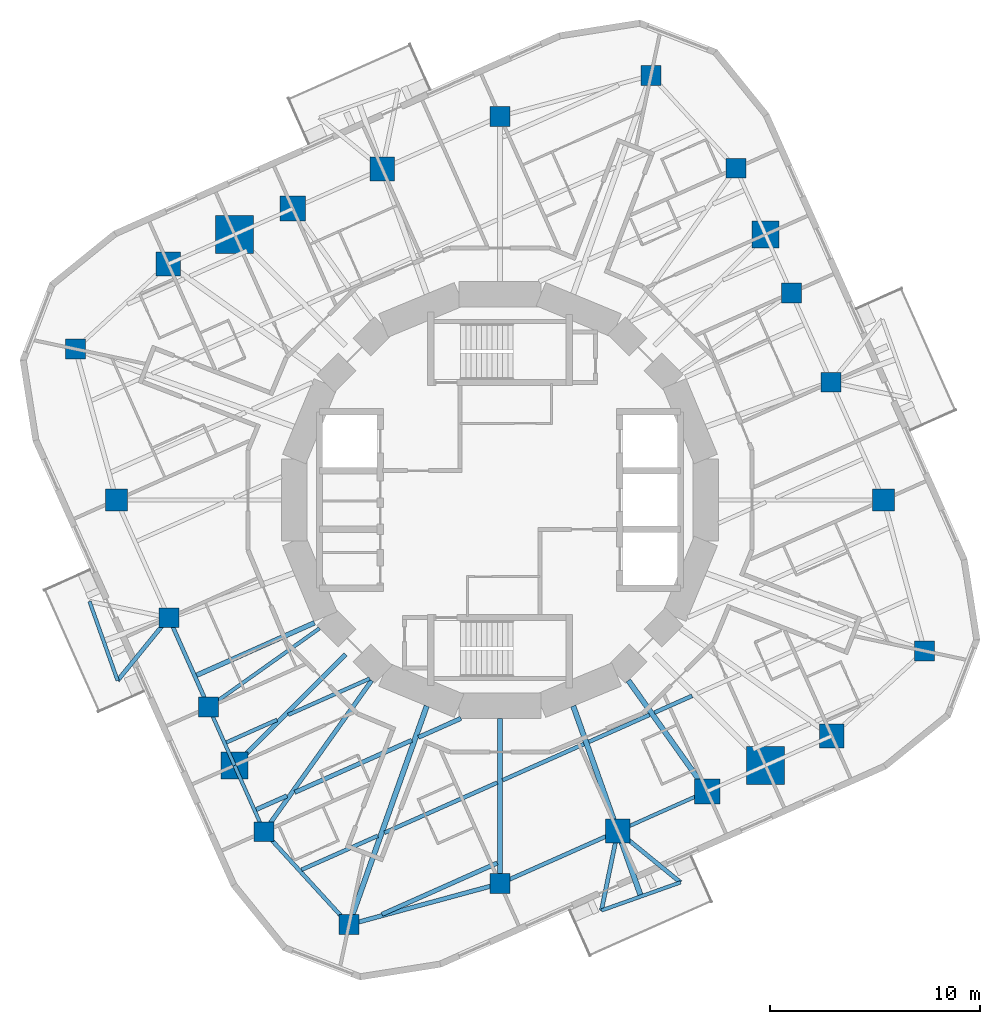
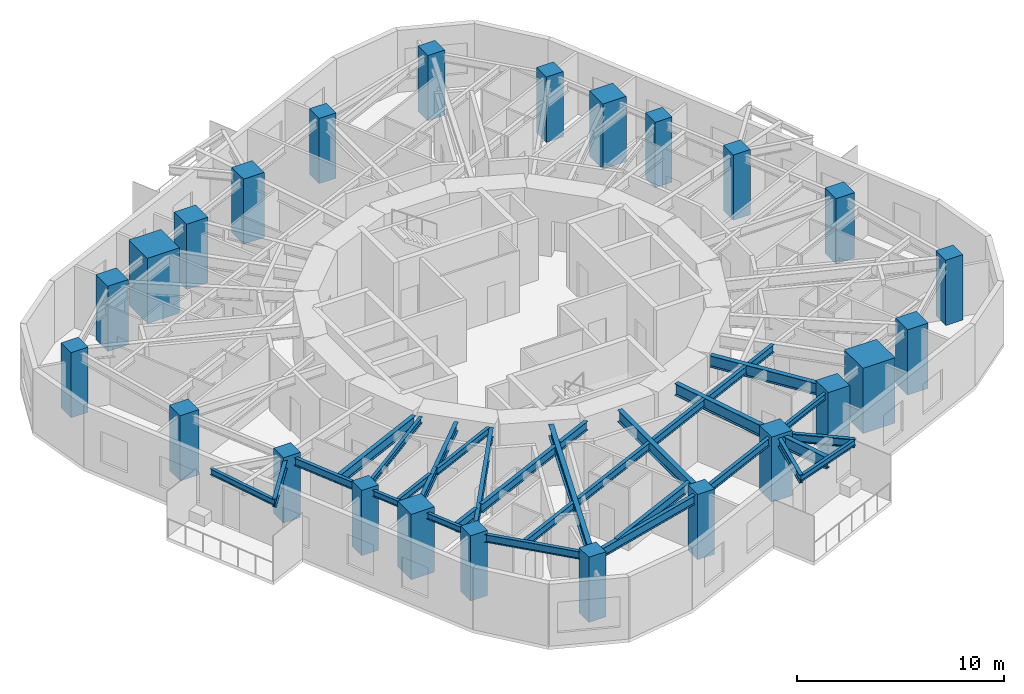
# One storey, part 1 of 12: 31 beams, 24 columns.
"""IFC4 building model written with IfcOpenShell, lengths in metres."""

from ifc_helpers import new_model, si_unit, direction, frame, origin, origin_2d, place, context, subcontext, project, spatial, rectangle, i_section, extrude, material, material_profile, profile_set, type_object, element, save


model = new_model("IFC4")

# Units and contexts
model_context = context("Model", 3, precision=1e-05, world=origin(), true_north=direction((0.0, 1.0)))
body_context = subcontext(model_context, "Body", "Model", "MODEL_VIEW")
ifc_project = project(units=[si_unit("LENGTHUNIT", "METRE"), si_unit("AREAUNIT", "SQUARE_METRE"), si_unit("VOLUMEUNIT", "CUBIC_METRE"), si_unit("PLANEANGLEUNIT", "RADIAN"), si_unit("MASSUNIT", "GRAM", prefix="KILO")], contexts=[model_context])

# Site, building, storey
site_placement = place(None, origin())
site = spatial("IfcSite", under=ifc_project, at=site_placement, CompositionType="ELEMENT")
building_placement = place(site_placement, origin())
building = spatial("IfcBuilding", under=site, at=building_placement, Name="Nakasero Lantern House", CompositionType="ELEMENT")
storey_placement = place(building_placement, frame((0.0, 0.0, 194.0)))
storey = spatial("IfcBuildingStorey", under=building, at=storey_placement, Name="L47", CompositionType="ELEMENT", Elevation=194.0)

# Columns
ifc_material_1 = material(Name="Concrete C45/55", Category="concrete")
ifc_material_profile_1 = material_profile(ifc_material_1, rectangle(XDim=1.300048828125, YDim=1.300048828125, at=origin_2d()), Name="RC 1300x1300")
ifc_profile_set_1 = profile_set([ifc_material_profile_1], Name="Concrete C45/55")
column_type_1 = type_object("IfcColumnType", Name="Mega column RC 1300x1300 C45/55", PredefinedType="COLUMN", material=ifc_profile_set_1)
for number, where, z_axis, x_axis, name in (
    (1, (12.64892578125, 12.64892578125, 0.0), (0.0, 0.0, 1.0), (1.0, 0.0, 0.0), "Column B5-C06 L47"),
    (2, (-12.64892578125, -12.64892578125, 0.0), (0.0, 0.0, 1.0), (1.0, 0.0, 0.0), "Column B5-C18 L47"),
):
    element("IfcColumn", number, at=place(storey_placement, frame(where, z_axis=z_axis, x_axis=x_axis)), inside=storey, type_object=column_type_1, Name=name, PredefinedType="COLUMN", context=body_context, shape_type="SweptSolid", body=[
        extrude(rectangle(XDim=1.300048828125, YDim=1.300048828125, at=origin_2d()), origin(), (0.0, 0.0, 1.0), 3.85009765625),
    ])
ifc_material_2 = material(Name="Concrete C45/55", Category="concrete")
ifc_material_profile_2 = material_profile(ifc_material_2, rectangle(XDim=1.800048828125, YDim=1.800048828125, at=origin_2d()), Name="RC 1800x1800")
ifc_profile_set_2 = profile_set([ifc_material_profile_2], Name="Concrete C45/55")
column_type_2 = type_object("IfcColumnType", Name="Mega column RC 1800x1800 C45/55", PredefinedType="COLUMN", material=ifc_profile_set_2)
for number, where, z_axis, x_axis, name in (
    (3, (-12.64892578125, 12.64892578125, 0.0), (0.0, 0.0, 1.0), (1.0, 0.0, 0.0), "Column B5-C12 L47"),
    (4, (12.64892578125, -12.64892578125, 0.0), (0.0, 0.0, 1.0), (1.0, 0.0, 0.0), "Column B5-C24 L47"),
):
    element("IfcColumn", number, at=place(storey_placement, frame(where, z_axis=z_axis, x_axis=x_axis)), inside=storey, type_object=column_type_2, Name=name, PredefinedType="COLUMN", context=body_context, shape_type="SweptSolid", body=[
        extrude(rectangle(XDim=1.800048828125, YDim=1.800048828125, at=origin_2d()), origin(), (0.0, 0.0, 1.0), 3.85009765625),
    ])
ifc_material_3 = material(Name="Concrete C45/55", Category="concrete")
ifc_material_profile_3 = material_profile(ifc_material_3, rectangle(XDim=1.050048828125, YDim=1.050048828125, at=origin_2d()), Name="RC 1050x1050")
ifc_profile_set_3 = profile_set([ifc_material_profile_3], Name="Concrete C45/55")
column_type_3 = type_object("IfcColumnType", Name="Ring column RC 1050x1050 C45/55", PredefinedType="COLUMN", material=ifc_profile_set_3)
for number, where, z_axis, x_axis, name in (
    (5, (18.280517578125, 0.0, 0.0), (0.0, 0.0, 1.0), (1.0, 0.0, 0.0), "Column B5-C03 L47"),
    (6, (-18.280517578125, 0.0, 0.0), (0.0, 0.0, 1.0), (1.0, 0.0, 0.0), "Column B5-C15 L47"),
):
    element("IfcColumn", number, at=place(storey_placement, frame(where, z_axis=z_axis, x_axis=x_axis)), inside=storey, type_object=column_type_3, Name=name, PredefinedType="COLUMN", context=body_context, shape_type="SweptSolid", body=[
        extrude(rectangle(XDim=1.050048828125, YDim=1.050048828125, at=origin_2d()), origin(), (0.0, 0.0, 1.0), 3.85009765625),
    ])
ifc_material_4 = material(Name="Concrete C45/55", Category="concrete")
ifc_material_profile_4 = material_profile(ifc_material_4, rectangle(XDim=1.14990234375, YDim=1.14990234375, at=origin_2d()), Name="RC 1150x1150")
ifc_profile_set_4 = profile_set([ifc_material_profile_4], Name="Concrete C45/55")
column_type_4 = type_object("IfcColumnType", Name="Ring column RC 1150x1150 C45/55", PredefinedType="COLUMN", material=ifc_profile_set_4)
for number, where, z_axis, x_axis, name in (
    (7, (15.808837890625, -11.241943359375, 0.0), (0.0, 0.0, 1.0), (1.0, 0.0, 0.0), "Column B5-C01 L47"),
    (8, (-5.611328125, 15.781982421875, 0.0), (0.0, 0.0, 1.0), (1.0, 0.0, 0.0), "Column B5-C10 L47"),
    (9, (-15.808837890625, 11.241943359375, 0.0), (0.0, 0.0, 1.0), (1.0, 0.0, 0.0), "Column B5-C13 L47"),
    (10, (5.611328125, -15.781982421875, 0.0), (0.0, 0.0, 1.0), (1.0, 0.0, 0.0), "Column B5-C22 L47"),
):
    element("IfcColumn", number, at=place(storey_placement, frame(where, z_axis=z_axis, x_axis=x_axis)), inside=storey, type_object=column_type_4, Name=name, PredefinedType="COLUMN", context=body_context, shape_type="SweptSolid", body=[
        extrude(rectangle(XDim=1.14990234375, YDim=1.14990234375, at=origin_2d()), origin(), (0.0, 0.0, 1.0), 3.85009765625),
    ])
ifc_material_5 = material(Name="Concrete C45/55", Category="concrete")
ifc_material_profile_5 = material_profile(ifc_material_5, rectangle(XDim=1.199951171875, YDim=1.199951171875, at=origin_2d()), Name="RC 1200x1200")
ifc_profile_set_5 = profile_set([ifc_material_profile_5], Name="Concrete C45/55")
column_type_5 = type_object("IfcColumnType", Name="Ring column RC 1200x1200 C45/55", PredefinedType="COLUMN", material=ifc_profile_set_5)
for number, where, z_axis, x_axis, name in (
    (11, (-9.87353515625, 13.884521484375, 0.0), (0.0, 0.0, 1.0), (1.0, 0.0, 0.0), "Column B5-C11 L47"),
    (12, (9.87353515625, -13.884521484375, 0.0), (0.0, 0.0, 1.0), (1.0, 0.0, 0.0), "Column B5-C23 L47"),
):
    element("IfcColumn", number, at=place(storey_placement, frame(where, z_axis=z_axis, x_axis=x_axis)), inside=storey, type_object=column_type_5, Name=name, PredefinedType="COLUMN", context=body_context, shape_type="SweptSolid", body=[
        extrude(rectangle(XDim=1.199951171875, YDim=1.199951171875, at=origin_2d()), origin(), (0.0, 0.0, 1.0), 3.85009765625),
    ])
ifc_material_6 = material(Name="Concrete C45/55", Category="concrete")
ifc_material_profile_6 = material_profile(ifc_material_6, rectangle(XDim=0.949951171875, YDim=0.949951171875, at=origin_2d()), Name="RC 950x950")
ifc_profile_set_6 = profile_set([ifc_material_profile_6], Name="Concrete C45/55")
column_type_6 = type_object("IfcColumnType", Name="Ring column RC 950x950 C45/55", PredefinedType="COLUMN", material=ifc_profile_set_6)
for number, where, z_axis, x_axis, name in (
    (13, (20.2353515625, -7.19482421875, 0.0), (0.0, 0.0, 1.0), (1.0, 0.0, 0.0), "Column B5-C02 L47"),
    (14, (15.781982421875, 5.611328125, 0.0), (0.0, 0.0, 1.0), (1.0, 0.0, 0.0), "Column B5-C04 L47"),
    (15, (13.884521484375, 9.87353515625, 0.0), (0.0, 0.0, 1.0), (1.0, 0.0, 0.0), "Column B5-C05 L47"),
    (16, (11.241943359375, 15.808837890625, 0.0), (0.0, 0.0, 1.0), (1.0, 0.0, 0.0), "Column B5-C07 L47"),
    (17, (7.19482421875, 20.2353515625, 0.0), (0.0, 0.0, 1.0), (1.0, 0.0, 0.0), "Column B5-C08 L47"),
    (18, (0.0, 18.280517578125, 0.0), (0.0, 0.0, 1.0), (1.0, 0.0, 0.0), "Column B5-C09 L47"),
    (19, (-20.2353515625, 7.19482421875, 0.0), (0.0, 0.0, 1.0), (1.0, 0.0, 0.0), "Column B5-C14 L47"),
    (20, (-15.781982421875, -5.611328125, 0.0), (0.0, 0.0, 1.0), (1.0, 0.0, 0.0), "Column B5-C16 L47"),
    (21, (-13.884521484375, -9.87353515625, 0.0), (0.0, 0.0, 1.0), (1.0, 0.0, 0.0), "Column B5-C17 L47"),
    (22, (-11.241943359375, -15.808837890625, 0.0), (0.0, 0.0, 1.0), (1.0, 0.0, 0.0), "Column B5-C19 L47"),
    (23, (-7.19482421875, -20.2353515625, 0.0), (0.0, 0.0, 1.0), (1.0, 0.0, 0.0), "Column B5-C20 L47"),
    (24, (0.0, -18.280517578125, 0.0), (0.0, 0.0, 1.0), (1.0, 0.0, 0.0), "Column B5-C21 L47"),
):
    element("IfcColumn", number, at=place(storey_placement, frame(where, z_axis=z_axis, x_axis=x_axis)), inside=storey, type_object=column_type_6, Name=name, PredefinedType="COLUMN", context=body_context, shape_type="SweptSolid", body=[
        extrude(rectangle(XDim=0.949951171875, YDim=0.949951171875, at=origin_2d()), origin(), (0.0, 0.0, 1.0), 3.85009765625),
    ])

# Beams
ifc_material_7 = material(Name="Steel S355", Category="steel")
ifc_material_profile_7 = material_profile(ifc_material_7, i_section(OverallWidth=0.199462890625, OverallDepth=0.491943359375, WebThickness=0.01806640625, FlangeThickness=0.031982421875, FilletRadius=0.01025390625, at=origin_2d()), Name="UB 457x191x161")
ifc_profile_set_7 = profile_set([ifc_material_profile_7], Name="Steel S355")
beam_type_1 = type_object("IfcBeamType", Name="Balcony splay beam UB 457x191x161", PredefinedType="BEAM", material=ifc_profile_set_7)
for number, where, z_axis, x_axis, name in (
    (25, (-15.781982421875, -5.611328125, 3.404052734375), (-0.632165712937, -0.774833215206, 0.0), (0.774833215206, -0.632165712937, 0.0), "Balcony splay beam L48 B5-C16A"),
    (26, (5.611328125, -15.781982421875, 3.404052734375), (0.774833215206, -0.632165712937, 0.0), (0.632165712937, 0.774833215206, 0.0), "Balcony splay beam L48 B5-C22A"),
):
    element("IfcBeam", number, at=place(storey_placement, frame(where, z_axis=z_axis, x_axis=x_axis)), inside=storey, type_object=beam_type_1, Name=name, PredefinedType="BEAM", context=body_context, shape_type="SweptSolid", body=[
        extrude(i_section(OverallWidth=0.199462890625, OverallDepth=0.491943359375, WebThickness=0.01806640625, FlangeThickness=0.031982421875, FilletRadius=0.01025390625, at=origin_2d()), origin(), (0.0, 0.0, 1.0), 3.85888671875),
    ])
beam_1_placement = place(storey_placement, frame((5.611328125, -15.781982421875, 3.404052734375), z_axis=(-0.201831438605, -0.979420272605, 0.0), x_axis=(0.979420272605, -0.201831438605, 0.0)))
element("IfcBeam", 27, at=beam_1_placement, inside=storey, type_object=beam_type_1, Name="Balcony splay beam L48 B5-C22B", PredefinedType="BEAM", context=body_context, shape_type="SweptSolid", body=[
    extrude(i_section(OverallWidth=0.199462890625, OverallDepth=0.491943359375, WebThickness=0.01806640625, FlangeThickness=0.031982421875, FilletRadius=0.01025390625, at=origin_2d()), origin(), (0.0, 0.0, 1.0), 3.858642578125),
])
ifc_material_8 = material(Name="Steel S355", Category="steel")
ifc_material_profile_8 = material_profile(ifc_material_8, i_section(OverallWidth=0.17138671875, OverallDepth=0.35498046875, WebThickness=0.00732421875, FlangeThickness=0.011474609375, FilletRadius=0.01025390625, at=origin_2d()), Name="UB 356x171x51")
ifc_profile_set_8 = profile_set([ifc_material_profile_8], Name="Steel S355")
beam_type_2 = type_object("IfcBeamType", Name="Balcony tie beam UB 356x171x51", PredefinedType="BEAM", material=ifc_profile_set_8)
for number, where, z_axis, x_axis, name in (
    (28, (-18.221435546875, -8.601318359375, 3.472412109375), (-0.334971134582, 0.94222839004, 0.0), (-0.94222839004, -0.334971134582, 0.0), "Balcony tie beam L48 B5-C16"),
    (29, (8.601318359375, -18.221435546875, 3.472412109375), (-0.94222839004, -0.334971134582, 0.0), (0.334971134582, -0.94222839004, 0.0), "Balcony tie beam L48 B5-C22"),
):
    element("IfcBeam", number, at=place(storey_placement, frame(where, z_axis=z_axis, x_axis=x_axis)), inside=storey, type_object=beam_type_2, Name=name, PredefinedType="BEAM", context=body_context, shape_type="SweptSolid", body=[
        extrude(i_section(OverallWidth=0.17138671875, OverallDepth=0.35498046875, WebThickness=0.00732421875, FlangeThickness=0.011474609375, FilletRadius=0.01025390625, at=origin_2d()), origin(), (0.0, 0.0, 1.0), 4.0),
    ])
ifc_material_9 = material(Name="Steel S355", Category="steel")
ifc_material_profile_9 = material_profile(ifc_material_9, i_section(OverallWidth=0.177978515625, OverallDepth=0.406494140625, WebThickness=0.0078125, FlangeThickness=0.0126953125, FilletRadius=0.01025390625, at=origin_2d()), Name="UB 406x178x60")
ifc_profile_set_9 = profile_set([ifc_material_profile_9], Name="Steel S355")
beam_type_3 = type_object("IfcBeamType", Name="Infill beam UB 406x178x60", PredefinedType="JOIST", material=ifc_profile_set_9)
beam_2_placement = place(storey_placement, frame((-13.04248046875, -11.5537109375, 3.44677734375), z_axis=(0.913529602849, 0.406772251658, 0.0), x_axis=(-0.406772251658, 0.913529602849, 0.0)))
element("IfcBeam", 30, at=beam_2_placement, inside=storey, type_object=beam_type_3, Name="Infill beam L48 06.1", PredefinedType="JOIST", context=body_context, shape_type="SweptSolid", body=[
    extrude(i_section(OverallWidth=0.177978515625, OverallDepth=0.406494140625, WebThickness=0.0078125, FlangeThickness=0.0126953125, FilletRadius=0.01025390625, at=origin_2d()), origin(), (0.0, 0.0, 1.0), 2.64453125),
])
beam_3_placement = place(storey_placement, frame((-10.09130859375, -10.23974609375, 3.44677734375), z_axis=(0.91354134882, 0.406745871517, 0.0), x_axis=(-0.406745871517, 0.91354134882, 0.0)))
element("IfcBeam", 31, at=beam_3_placement, inside=storey, type_object=beam_type_3, Name="Infill beam L48 06.2", PredefinedType="JOIST", context=body_context, shape_type="SweptSolid", body=[
    extrude(i_section(OverallWidth=0.177978515625, OverallDepth=0.406494140625, WebThickness=0.0078125, FlangeThickness=0.0126953125, FilletRadius=0.01025390625, at=origin_2d()), origin(), (0.0, 0.0, 1.0), 4.250732421875),
])
ifc_material_10 = material(Name="Steel S355", Category="steel")
ifc_material_profile_10 = material_profile(ifc_material_10, i_section(OverallWidth=0.18994140625, OverallDepth=0.453369140625, WebThickness=0.008544921875, FlangeThickness=0.0126953125, FilletRadius=0.01025390625, at=origin_2d()), Name="UB 457x191x67")
ifc_profile_set_10 = profile_set([ifc_material_profile_10], Name="Steel S355")
beam_type_4 = type_object("IfcBeamType", Name="Infill beam UB 457x191x67", PredefinedType="JOIST", material=ifc_profile_set_10)
beam_4_placement = place(storey_placement, frame((-9.457275390625, -17.619873046875, 3.42333984375), z_axis=(0.91354552237, 0.406736497695, 0.0), x_axis=(-0.406736497695, 0.91354552237, 0.0)))
element("IfcBeam", 32, at=beam_4_placement, inside=storey, type_object=beam_type_4, Name="Infill beam L48 04.1", PredefinedType="JOIST", context=body_context, shape_type="SweptSolid", body=[
    extrude(i_section(OverallWidth=0.18994140625, OverallDepth=0.453369140625, WebThickness=0.008544921875, FlangeThickness=0.0126953125, FilletRadius=0.01025390625, at=origin_2d()), origin(), (0.0, 0.0, 1.0), 3.9765625),
])
beam_5_placement = place(storey_placement, frame((-5.50439453125, -15.860107421875, 3.42333984375), z_axis=(0.913539401307, 0.406750245556, 0.0), x_axis=(-0.406750245556, 0.913539401307, 0.0)))
element("IfcBeam", 33, at=beam_5_placement, inside=storey, type_object=beam_type_4, Name="Infill beam L48 04.2", PredefinedType="JOIST", context=body_context, shape_type="SweptSolid", body=[
    extrude(i_section(OverallWidth=0.18994140625, OverallDepth=0.453369140625, WebThickness=0.008544921875, FlangeThickness=0.0126953125, FilletRadius=0.01025390625, at=origin_2d()), origin(), (0.0, 0.0, 1.0), 5.886474609375),
])
beam_6_placement = place(storey_placement, frame((0.126953125, -13.352783203125, 3.42333984375), z_axis=(0.913552455182, 0.40672092598, 0.0), x_axis=(-0.40672092598, 0.913552455182, 0.0)))
element("IfcBeam", 34, at=beam_6_placement, inside=storey, type_object=beam_type_4, Name="Infill beam L48 04.3", PredefinedType="JOIST", context=body_context, shape_type="SweptSolid", body=[
    extrude(i_section(OverallWidth=0.18994140625, OverallDepth=0.453369140625, WebThickness=0.008544921875, FlangeThickness=0.0126953125, FilletRadius=0.01025390625, at=origin_2d()), origin(), (0.0, 0.0, 1.0), 4.238525390625),
])
beam_7_placement = place(storey_placement, frame((4.2333984375, -11.5244140625, 3.42333984375), z_axis=(0.913544106346, 0.406739678123, 0.0), x_axis=(-0.406739678123, 0.913544106346, 0.0)))
element("IfcBeam", 35, at=beam_7_placement, inside=storey, type_object=beam_type_4, Name="Infill beam L48 04.4", PredefinedType="JOIST", context=body_context, shape_type="SweptSolid", body=[
    extrude(i_section(OverallWidth=0.18994140625, OverallDepth=0.453369140625, WebThickness=0.008544921875, FlangeThickness=0.0126953125, FilletRadius=0.01025390625, at=origin_2d()), origin(), (0.0, 0.0, 1.0), 3.16455078125),
])
beam_8_placement = place(storey_placement, frame((7.360595703125, -10.132080078125, 3.42333984375), z_axis=(0.913539401307, 0.406750245556, 0.0), x_axis=(-0.406750245556, 0.913539401307, 0.0)))
element("IfcBeam", 36, at=beam_8_placement, inside=storey, type_object=beam_type_4, Name="Infill beam L48 04.5", PredefinedType="JOIST", context=body_context, shape_type="SweptSolid", body=[
    extrude(i_section(OverallWidth=0.18994140625, OverallDepth=0.453369140625, WebThickness=0.008544921875, FlangeThickness=0.0126953125, FilletRadius=0.01025390625, at=origin_2d()), origin(), (0.0, 0.0, 1.0), 1.962158203125),
])
ifc_material_11 = material(Name="Steel S355", Category="steel")
ifc_material_profile_11 = material_profile(ifc_material_11, i_section(OverallWidth=0.2099609375, OverallDepth=0.53662109375, WebThickness=0.0107421875, FlangeThickness=0.017333984375, FilletRadius=0.0126953125, at=origin_2d()), Name="UB 533x210x101")
ifc_profile_set_11 = profile_set([ifc_material_profile_11], Name="Steel S355")
beam_type_5 = type_object("IfcBeamType", Name="Infill beam UB 533x210x101", PredefinedType="JOIST", material=ifc_profile_set_11)
beam_9_placement = place(storey_placement, frame((-5.626708984375, -19.745849609375, 3.381591796875), z_axis=(0.913540433669, 0.406747926919, 0.0), x_axis=(-0.406747926919, 0.913540433669, 0.0)))
element("IfcBeam", 37, at=beam_9_placement, inside=storey, type_object=beam_type_5, Name="Infill beam L48 03.1", PredefinedType="JOIST", context=body_context, shape_type="SweptSolid", body=[
    extrude(i_section(OverallWidth=0.2099609375, OverallDepth=0.53662109375, WebThickness=0.0107421875, FlangeThickness=0.017333984375, FilletRadius=0.0126953125, at=origin_2d()), origin(), (0.0, 0.0, 1.0), 6.020263671875),
])
ifc_material_12 = material(Name="Steel S355", Category="steel")
ifc_material_profile_12 = material_profile(ifc_material_12, i_section(OverallWidth=0.208740234375, OverallDepth=0.5283203125, WebThickness=0.009521484375, FlangeThickness=0.01318359375, FilletRadius=0.0126953125, at=origin_2d()), Name="UB 533x210x82")
ifc_profile_set_12 = profile_set([ifc_material_profile_12], Name="Steel S355")
beam_type_6 = type_object("IfcBeamType", Name="Infill beam UB 533x210x82", PredefinedType="JOIST", material=ifc_profile_set_12)
beam_10_placement = place(storey_placement, frame((-11.618896484375, -14.751220703125, 3.3857421875), z_axis=(0.913522313414, 0.406788621884, 0.0), x_axis=(-0.406788621884, 0.913522313414, 0.0)))
element("IfcBeam", 38, at=beam_10_placement, inside=storey, type_object=beam_type_6, Name="Infill beam L48 05.1", PredefinedType="JOIST", context=body_context, shape_type="SweptSolid", body=[
    extrude(i_section(OverallWidth=0.208740234375, OverallDepth=0.5283203125, WebThickness=0.009521484375, FlangeThickness=0.01318359375, FilletRadius=0.0126953125, at=origin_2d()), origin(), (0.0, 0.0, 1.0), 1.6025390625),
])
beam_11_placement = place(storey_placement, frame((-9.778076171875, -13.931640625, 3.3857421875), z_axis=(0.913537341067, 0.406754872713, 0.0), x_axis=(-0.406754872713, 0.913537341067, 0.0)))
element("IfcBeam", 39, at=beam_11_placement, inside=storey, type_object=beam_type_6, Name="Infill beam L48 05.2", PredefinedType="JOIST", context=body_context, shape_type="SweptSolid", body=[
    extrude(i_section(OverallWidth=0.208740234375, OverallDepth=0.5283203125, WebThickness=0.009521484375, FlangeThickness=0.01318359375, FilletRadius=0.0126953125, at=origin_2d()), origin(), (0.0, 0.0, 1.0), 6.099365234375),
])
beam_12_placement = place(storey_placement, frame((-3.885986328125, -11.308349609375, 3.3857421875), z_axis=(0.913538457968, 0.406752364238, 0.0), x_axis=(-0.406752364238, 0.913538457968, 0.0)))
element("IfcBeam", 40, at=beam_12_placement, inside=storey, type_object=beam_type_6, Name="Infill beam L48 05.3", PredefinedType="JOIST", context=body_context, shape_type="SweptSolid", body=[
    extrude(i_section(OverallWidth=0.208740234375, OverallDepth=0.5283203125, WebThickness=0.009521484375, FlangeThickness=0.01318359375, FilletRadius=0.0126953125, at=origin_2d()), origin(), (0.0, 0.0, 1.0), 2.213623046875),
])
ifc_material_13 = material(Name="Steel S355", Category="steel")
ifc_material_profile_13 = material_profile(ifc_material_13, i_section(OverallWidth=0.22900390625, OverallDepth=0.6123046875, WebThickness=0.011962890625, FlangeThickness=0.01953125, FilletRadius=0.0126953125, at=origin_2d()), Name="UB 610x229x125")
ifc_profile_set_13 = profile_set([ifc_material_profile_13], Name="Steel S355")
beam_type_7 = type_object("IfcBeamType", Name="Infill beam UB 610x229x125", PredefinedType="JOIST", material=ifc_profile_set_13)
beam_13_placement = place(storey_placement, frame((-14.457763671875, -8.3525390625, 3.343994140625), z_axis=(0.913552627294, 0.406720539393, 0.0), x_axis=(-0.406720539393, 0.913552627294, 0.0)))
element("IfcBeam", 41, at=beam_13_placement, inside=storey, type_object=beam_type_7, Name="Infill beam L48 07.1", PredefinedType="JOIST", context=body_context, shape_type="SweptSolid", body=[
    extrude(i_section(OverallWidth=0.22900390625, OverallDepth=0.6123046875, WebThickness=0.011962890625, FlangeThickness=0.01953125, FilletRadius=0.0126953125, at=origin_2d()), origin(), (0.0, 0.0, 1.0), 6.14794921875),
])
ifc_material_14 = material(Name="Steel S355", Category="steel")
ifc_material_profile_14 = material_profile(ifc_material_14, i_section(OverallWidth=0.17138671875, OverallDepth=0.35498046875, WebThickness=0.00732421875, FlangeThickness=0.011474609375, FilletRadius=0.01025390625, at=origin_2d()), Name="UB 356x171x51")
ifc_profile_set_14 = profile_set([ifc_material_profile_14], Name="Steel S355")
beam_type_8 = type_object("IfcBeamType", Name="Primary beam UB 356x171x51, span 6 to 9 m", PredefinedType="BEAM", material=ifc_profile_set_14)
beam_14_placement = place(storey_placement, frame((-13.884521484375, -9.87353515625, 3.472412109375), z_axis=(0.8149430702, 0.57954101868, 0.0), x_axis=(-0.57954101868, 0.8149430702, 0.0)))
element("IfcBeam", 42, at=beam_14_placement, inside=storey, type_object=beam_type_8, Name="Primary beam L48 B5-C17", PredefinedType="BEAM", context=body_context, shape_type="SweptSolid", body=[
    extrude(i_section(OverallWidth=0.17138671875, OverallDepth=0.35498046875, WebThickness=0.00732421875, FlangeThickness=0.011474609375, FilletRadius=0.01025390625, at=origin_2d()), origin(), (0.0, 0.0, 1.0), 6.48193359375),
])
ifc_material_15 = material(Name="Steel S355", Category="steel")
ifc_material_profile_15 = material_profile(ifc_material_15, i_section(OverallWidth=0.2099609375, OverallDepth=0.53662109375, WebThickness=0.0107421875, FlangeThickness=0.017333984375, FilletRadius=0.0126953125, at=origin_2d()), Name="UB 533x210x101")
ifc_profile_set_15 = profile_set([ifc_material_profile_15], Name="Steel S355")
beam_type_9 = type_object("IfcBeamType", Name="Primary beam UB 533x210x101, span 6 to 9 m", PredefinedType="BEAM", material=ifc_profile_set_15)
beam_15_placement = place(storey_placement, frame((-12.64892578125, -12.64892578125, 3.381591796875), z_axis=(0.707106781187, 0.707106781187, 0.0), x_axis=(-0.707106781187, 0.707106781187, 0.0)))
element("IfcBeam", 43, at=beam_15_placement, inside=storey, type_object=beam_type_9, Name="Primary beam L48 B5-C18", PredefinedType="BEAM", context=body_context, shape_type="SweptSolid", body=[
    extrude(i_section(OverallWidth=0.2099609375, OverallDepth=0.53662109375, WebThickness=0.0107421875, FlangeThickness=0.017333984375, FilletRadius=0.0126953125, at=origin_2d()), origin(), (0.0, 0.0, 1.0), 7.48046875),
])
beam_16_placement = place(storey_placement, frame((-11.241943359375, -15.808837890625, 3.381591796875), z_axis=(0.579536824926, 0.814946052543, 0.0), x_axis=(-0.814946052543, 0.579536824926, 0.0)))
element("IfcBeam", 44, at=beam_16_placement, inside=storey, type_object=beam_type_9, Name="Primary beam L48 B5-C19", PredefinedType="BEAM", context=body_context, shape_type="SweptSolid", body=[
    extrude(i_section(OverallWidth=0.2099609375, OverallDepth=0.53662109375, WebThickness=0.0107421875, FlangeThickness=0.017333984375, FilletRadius=0.0126953125, at=origin_2d()), origin(), (0.0, 0.0, 1.0), 8.84326171875),
])
ifc_material_16 = material(Name="Steel S355", Category="steel")
ifc_material_profile_16 = material_profile(ifc_material_16, i_section(OverallWidth=0.253662109375, OverallDepth=0.68359375, WebThickness=0.012451171875, FlangeThickness=0.01904296875, FilletRadius=0.01513671875, at=origin_2d()), Name="UB 686x254x140")
ifc_profile_set_16 = profile_set([ifc_material_profile_16], Name="Steel S355")
beam_type_10 = type_object("IfcBeamType", Name="Primary beam UB 686x254x140, span 6 to 9 m", PredefinedType="BEAM", material=ifc_profile_set_16)
beam_17_placement = place(storey_placement, frame((0.0, -18.280517578125, 3.308349609375), z_axis=(0.0, 1.0, 0.0), x_axis=(-1.0, 0.0, 0.0)))
element("IfcBeam", 45, at=beam_17_placement, inside=storey, type_object=beam_type_10, Name="Primary beam L48 B5-C21", PredefinedType="BEAM", context=body_context, shape_type="SweptSolid", body=[
    extrude(i_section(OverallWidth=0.253662109375, OverallDepth=0.68359375, WebThickness=0.012451171875, FlangeThickness=0.01904296875, FilletRadius=0.01513671875, at=origin_2d()), origin(), (0.0, 0.0, 1.0), 7.87255859375),
])
beam_18_placement = place(storey_placement, frame((9.87353515625, -13.884521484375, 3.308349609375), z_axis=(-0.57954101868, 0.8149430702, 0.0), x_axis=(-0.8149430702, -0.57954101868, 0.0)))
element("IfcBeam", 46, at=beam_18_placement, inside=storey, type_object=beam_type_10, Name="Primary beam L48 B5-C23", PredefinedType="BEAM", context=body_context, shape_type="SweptSolid", body=[
    extrude(i_section(OverallWidth=0.253662109375, OverallDepth=0.68359375, WebThickness=0.012451171875, FlangeThickness=0.01904296875, FilletRadius=0.01513671875, at=origin_2d()), origin(), (0.0, 0.0, 1.0), 6.48193359375),
])
ifc_material_17 = material(Name="Steel S355", Category="steel")
ifc_material_profile_17 = material_profile(ifc_material_17, i_section(OverallWidth=0.253662109375, OverallDepth=0.68359375, WebThickness=0.012451171875, FlangeThickness=0.01904296875, FilletRadius=0.01513671875, at=origin_2d()), Name="UB 686x254x140")
ifc_profile_set_17 = profile_set([ifc_material_profile_17], Name="Steel S355")
beam_type_11 = type_object("IfcBeamType", Name="Primary beam UB 686x254x140, span 9 to 12 m", PredefinedType="BEAM", material=ifc_profile_set_17)
beam_19_placement = place(storey_placement, frame((-7.19482421875, -20.2353515625, 3.308349609375), z_axis=(0.335020995468, 0.942210662535, 0.0), x_axis=(-0.942210662535, 0.335020995468, 0.0)))
element("IfcBeam", 47, at=beam_19_placement, inside=storey, type_object=beam_type_11, Name="Primary beam L48 B5-C20", PredefinedType="BEAM", context=body_context, shape_type="SweptSolid", body=[
    extrude(i_section(OverallWidth=0.253662109375, OverallDepth=0.68359375, WebThickness=0.012451171875, FlangeThickness=0.01904296875, FilletRadius=0.01513671875, at=origin_2d()), origin(), (0.0, 0.0, 1.0), 11.054931640625),
])
ifc_material_18 = material(Name="Steel S355", Category="steel")
ifc_material_profile_18 = material_profile(ifc_material_18, i_section(OverallWidth=0.255859375, OverallDepth=0.69287109375, WebThickness=0.014404296875, FlangeThickness=0.023681640625, FilletRadius=0.01513671875, at=origin_2d()), Name="UB 686x254x170")
ifc_profile_set_18 = profile_set([ifc_material_profile_18], Name="Steel S355")
beam_type_12 = type_object("IfcBeamType", Name="Primary beam UB 686x254x170, span 6 to 9 m", PredefinedType="BEAM", material=ifc_profile_set_18)
beam_20_placement = place(storey_placement, frame((6.717041015625, -18.891357421875, 3.303466796875), z_axis=(-0.335030177005, 0.942207397814, 0.0), x_axis=(-0.942207397814, -0.335030177005, 0.0)))
element("IfcBeam", 48, at=beam_20_placement, inside=storey, type_object=beam_type_12, Name="Primary beam L48 B5-C22", PredefinedType="BEAM", context=body_context, shape_type="SweptSolid", body=[
    extrude(i_section(OverallWidth=0.255859375, OverallDepth=0.69287109375, WebThickness=0.014404296875, FlangeThickness=0.023681640625, FilletRadius=0.01513671875, at=origin_2d()), origin(), (0.0, 0.0, 1.0), 9.62841796875),
])
ifc_material_19 = material(Name="Steel S355", Category="steel")
ifc_material_profile_19 = material_profile(ifc_material_19, i_section(OverallWidth=0.17138671875, OverallDepth=0.35498046875, WebThickness=0.00732421875, FlangeThickness=0.011474609375, FilletRadius=0.01025390625, at=origin_2d()), Name="UB 356x171x51")
ifc_profile_set_19 = profile_set([ifc_material_profile_19], Name="Steel S355")
beam_type_13 = type_object("IfcBeamType", Name="Ring beam UB 356x171x51", PredefinedType="BEAM", material=ifc_profile_set_19)
beam_21_placement = place(storey_placement, frame((-13.884521484375, -9.87353515625, 3.472412109375), z_axis=(0.40671251915, -0.913556197925, 0.0), x_axis=(0.913556197925, 0.40671251915, 0.0)))
element("IfcBeam", 49, at=beam_21_placement, inside=storey, type_object=beam_type_13, Name="Ring beam L48 B5-C17", PredefinedType="BEAM", context=body_context, shape_type="SweptSolid", body=[
    extrude(i_section(OverallWidth=0.17138671875, OverallDepth=0.35498046875, WebThickness=0.00732421875, FlangeThickness=0.011474609375, FilletRadius=0.01025390625, at=origin_2d()), origin(), (0.0, 0.0, 1.0), 3.0380859375),
])
beam_22_placement = place(storey_placement, frame((-12.64892578125, -12.64892578125, 3.472412109375), z_axis=(0.406760506795, -0.913534832457, 0.0), x_axis=(0.913534832457, 0.406760506795, 0.0)))
element("IfcBeam", 50, at=beam_22_placement, inside=storey, type_object=beam_type_13, Name="Ring beam L48 B5-C18", PredefinedType="BEAM", context=body_context, shape_type="SweptSolid", body=[
    extrude(i_section(OverallWidth=0.17138671875, OverallDepth=0.35498046875, WebThickness=0.00732421875, FlangeThickness=0.011474609375, FilletRadius=0.01025390625, at=origin_2d()), origin(), (0.0, 0.0, 1.0), 3.458984375),
])
beam_23_placement = place(storey_placement, frame((5.611328125, -15.781982421875, 3.472412109375), z_axis=(0.913561058639, 0.406701600856, 0.0), x_axis=(-0.406701600856, 0.913561058639, 0.0)))
element("IfcBeam", 51, at=beam_23_placement, inside=storey, type_object=beam_type_13, Name="Ring beam L48 B5-C22", PredefinedType="BEAM", context=body_context, shape_type="SweptSolid", body=[
    extrude(i_section(OverallWidth=0.17138671875, OverallDepth=0.35498046875, WebThickness=0.00732421875, FlangeThickness=0.011474609375, FilletRadius=0.01025390625, at=origin_2d()), origin(), (0.0, 0.0, 1.0), 4.66552734375),
])
ifc_material_20 = material(Name="Steel S355", Category="steel")
ifc_material_profile_20 = material_profile(ifc_material_20, i_section(OverallWidth=0.18994140625, OverallDepth=0.453369140625, WebThickness=0.008544921875, FlangeThickness=0.0126953125, FilletRadius=0.01025390625, at=origin_2d()), Name="UB 457x191x67")
ifc_profile_set_20 = profile_set([ifc_material_profile_20], Name="Steel S355")
beam_type_14 = type_object("IfcBeamType", Name="Ring beam UB 457x191x67", PredefinedType="BEAM", material=ifc_profile_set_20)
beam_24_placement = place(storey_placement, frame((-15.781982421875, -5.611328125, 3.42333984375), z_axis=(0.406701600856, -0.913561058639, 0.0), x_axis=(0.913561058639, 0.406701600856, 0.0)))
element("IfcBeam", 52, at=beam_24_placement, inside=storey, type_object=beam_type_14, Name="Ring beam L48 B5-C16", PredefinedType="BEAM", context=body_context, shape_type="SweptSolid", body=[
    extrude(i_section(OverallWidth=0.18994140625, OverallDepth=0.453369140625, WebThickness=0.008544921875, FlangeThickness=0.0126953125, FilletRadius=0.01025390625, at=origin_2d()), origin(), (0.0, 0.0, 1.0), 4.66552734375),
])
beam_25_placement = place(storey_placement, frame((-11.241943359375, -15.808837890625, 3.42333984375), z_axis=(0.674771099966, -0.73802707447, 0.0), x_axis=(0.73802707447, 0.674771099966, 0.0)))
element("IfcBeam", 53, at=beam_25_placement, inside=storey, type_object=beam_type_14, Name="Ring beam L48 B5-C19", PredefinedType="BEAM", context=body_context, shape_type="SweptSolid", body=[
    extrude(i_section(OverallWidth=0.18994140625, OverallDepth=0.453369140625, WebThickness=0.008544921875, FlangeThickness=0.0126953125, FilletRadius=0.01025390625, at=origin_2d()), origin(), (0.0, 0.0, 1.0), 5.997802734375),
])
ifc_material_21 = material(Name="Steel S355", Category="steel")
ifc_material_profile_21 = material_profile(ifc_material_21, i_section(OverallWidth=0.19140625, OverallDepth=0.4599609375, WebThickness=0.010009765625, FlangeThickness=0.01611328125, FilletRadius=0.01025390625, at=origin_2d()), Name="UB 457x191x82")
ifc_profile_set_21 = profile_set([ifc_material_profile_21], Name="Steel S355")
beam_type_15 = type_object("IfcBeamType", Name="Ring beam UB 457x191x82", PredefinedType="BEAM", material=ifc_profile_set_21)
beam_26_placement = place(storey_placement, frame((0.0, -18.280517578125, 3.419921875), z_axis=(0.913532698569, 0.406765299215, 0.0), x_axis=(-0.406765299215, 0.913532698569, 0.0)))
element("IfcBeam", 54, at=beam_26_placement, inside=storey, type_object=beam_type_15, Name="Ring beam L48 B5-C21", PredefinedType="BEAM", context=body_context, shape_type="SweptSolid", body=[
    extrude(i_section(OverallWidth=0.19140625, OverallDepth=0.4599609375, WebThickness=0.010009765625, FlangeThickness=0.01611328125, FilletRadius=0.01025390625, at=origin_2d()), origin(), (0.0, 0.0, 1.0), 6.142333984375),
])
ifc_material_22 = material(Name="Steel S355", Category="steel")
ifc_material_profile_22 = material_profile(ifc_material_22, i_section(OverallWidth=0.208740234375, OverallDepth=0.5283203125, WebThickness=0.009521484375, FlangeThickness=0.01318359375, FilletRadius=0.0126953125, at=origin_2d()), Name="UB 533x210x82")
ifc_profile_set_22 = profile_set([ifc_material_profile_22], Name="Steel S355")
beam_type_16 = type_object("IfcBeamType", Name="Ring beam UB 533x210x82", PredefinedType="BEAM", material=ifc_profile_set_22)
beam_27_placement = place(storey_placement, frame((-7.19482421875, -20.2353515625, 3.3857421875), z_axis=(0.965015017941, 0.26219461312, 0.0), x_axis=(-0.26219461312, 0.965015017941, 0.0)))
element("IfcBeam", 55, at=beam_27_placement, inside=storey, type_object=beam_type_16, Name="Ring beam L48 B5-C20", PredefinedType="BEAM", context=body_context, shape_type="SweptSolid", body=[
    extrude(i_section(OverallWidth=0.208740234375, OverallDepth=0.5283203125, WebThickness=0.009521484375, FlangeThickness=0.01318359375, FilletRadius=0.0126953125, at=origin_2d()), origin(), (0.0, 0.0, 1.0), 7.45556640625),
])

save(model, "model.ifc")
